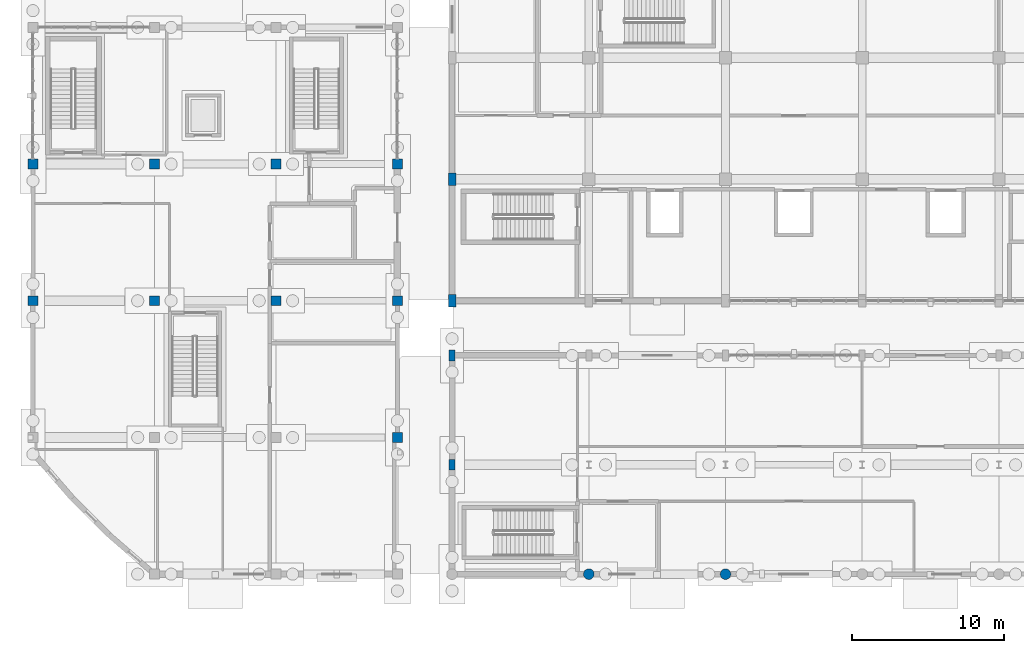
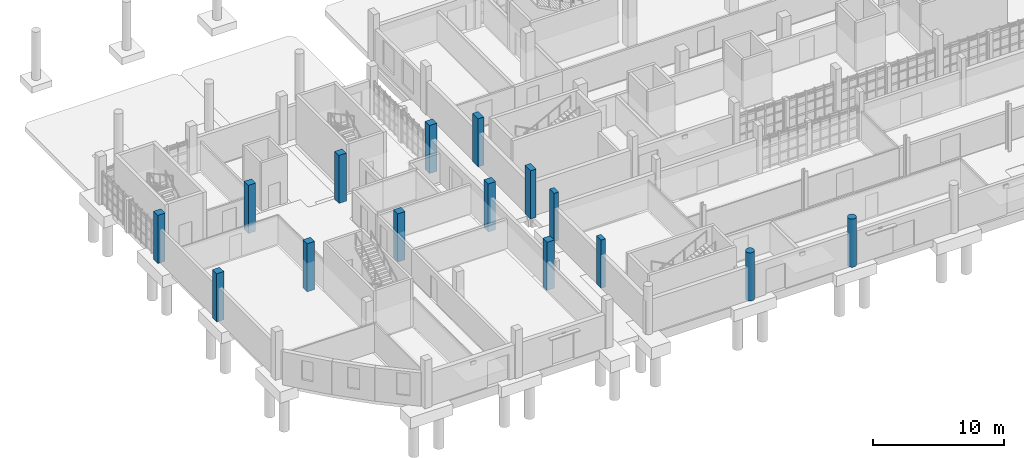
# One storey, part 4 of 63: 15 columns.
"""IFC4 building model written with IfcOpenShell, lengths in metres."""

from ifc_helpers import new_model, si_unit, direction, frame, origin, origin_2d, place, context, subcontext, project, spatial, rectangle, circle, extrude, material, material_profile, profile_set, type_object, element, save


model = new_model("IFC4")

# Units and contexts
model_context = context("Model", 3, precision=1e-05, world=origin(), true_north=direction((0.0, 1.0)))
body_context = subcontext(model_context, "Body", "Model", "MODEL_VIEW")
ifc_project = project(units=[si_unit("LENGTHUNIT", "METRE"), si_unit("AREAUNIT", "SQUARE_METRE"), si_unit("VOLUMEUNIT", "CUBIC_METRE"), si_unit("PLANEANGLEUNIT", "RADIAN"), si_unit("MASSUNIT", "GRAM", prefix="KILO")], contexts=[model_context])

# Site, building, storey
site_placement = place(None, origin())
site = spatial("IfcSite", under=ifc_project, at=site_placement, CompositionType="ELEMENT")
building_placement = place(site_placement, origin())
building = spatial("IfcBuilding", under=site, at=building_placement, Name="Serraforn Aerial Cableway Station", CompositionType="ELEMENT")
storey_placement = place(building_placement, origin())
storey = spatial("IfcBuildingStorey", under=building, at=storey_placement, Name="L00", CompositionType="ELEMENT", Elevation=0.0)

# Columns
ifc_material_1 = material(Name="Concrete C35/45", Category="concrete")
ifc_material_profile_1 = material_profile(ifc_material_1, rectangle(XDim=0.39990234375, YDim=0.699951171875, at=origin_2d()), Name="RC 400x700")
ifc_profile_set_1 = profile_set([ifc_material_profile_1], Name="Concrete C35/45")
column_type_1 = type_object("IfcColumnType", Name="COL-RC-400x700", PredefinedType="COLUMN", material=ifc_profile_set_1)
for number, where, z_axis, x_axis, name in (
    (1, (27.60009765625, 7.199951171875, 0.0), (0.0, 0.0, 1.0), (1.0, 0.0, 0.0), "Column CF L00 5-B1"),
    (2, (27.60009765625, 14.39990234375, 0.0), (0.0, 0.0, 1.0), (1.0, 0.0, 0.0), "Column CF L00 5-B2"),
):
    element("IfcColumn", number, at=place(storey_placement, frame(where, z_axis=z_axis, x_axis=x_axis)), inside=storey, type_object=column_type_1, Name=name, PredefinedType="COLUMN", context=body_context, shape_type="SweptSolid", body=[
        extrude(rectangle(XDim=0.39990234375, YDim=0.699951171875, at=origin_2d()), origin(), (0.0, 0.0, 1.0), 4.5),
    ])
ifc_material_2 = material(Name="Concrete C40/50", Category="concrete")
ifc_material_profile_2 = material_profile(ifc_material_2, rectangle(XDim=0.5, YDim=0.85009765625, at=origin_2d()), Name="RC 500x850")
ifc_profile_set_2 = profile_set([ifc_material_profile_2], Name="Concrete C40/50")
column_type_2 = type_object("IfcColumnType", Name="COL-RC-500x850", PredefinedType="COLUMN", material=ifc_profile_set_2)
for number, where, z_axis, x_axis, name in (
    (3, (27.60009765625, 18.0, 0.0), (0.0, 0.0, 1.0), (1.0, 0.0, 0.0), "Column CV L00 5-C"),
    (4, (27.60009765625, 26.0, 0.0), (0.0, 0.0, 1.0), (1.0, 0.0, 0.0), "Column CV L00 5-D1"),
):
    element("IfcColumn", number, at=place(storey_placement, frame(where, z_axis=z_axis, x_axis=x_axis)), inside=storey, type_object=column_type_2, Name=name, PredefinedType="COLUMN", context=body_context, shape_type="SweptSolid", body=[
        extrude(rectangle(XDim=0.5, YDim=0.85009765625, at=origin_2d()), origin(), (0.0, 0.0, 1.0), 4.5),
    ])
ifc_material_profile_3 = material_profile(ifc_material_1, rectangle(XDim=0.64990234375, YDim=0.64990234375, at=origin_2d()), Name="RC 650x650")
ifc_profile_set_3 = profile_set([ifc_material_profile_3], Name="Concrete C35/45")
column_type_3 = type_object("IfcColumnType", Name="COL-RC-650", PredefinedType="COLUMN", material=ifc_profile_set_3)
for number, where, z_axis, x_axis, name in (
    (5, (8.0, 18.0, 0.0), (0.0, 0.0, 1.0), (1.0, 0.0, 0.0), "Column W L00 2-C"),
    (6, (8.0, 27.0, 0.0), (0.0, 0.0, 1.0), (1.0, 0.0, 0.0), "Column W L00 2-D"),
    (7, (16.0, 18.0, 0.0), (0.0, 0.0, 1.0), (1.0, 0.0, 0.0), "Column W L00 3-C"),
    (8, (16.0, 27.0, 0.0), (0.0, 0.0, 1.0), (1.0, 0.0, 0.0), "Column W L00 3-D"),
):
    element("IfcColumn", number, at=place(storey_placement, frame(where, z_axis=z_axis, x_axis=x_axis)), inside=storey, type_object=column_type_3, Name=name, PredefinedType="COLUMN", context=body_context, shape_type="SweptSolid", body=[
        extrude(rectangle(XDim=0.64990234375, YDim=0.64990234375, at=origin_2d()), origin(), (0.0, 0.0, 1.0), 4.5),
    ])
ifc_material_profile_4 = material_profile(ifc_material_1, rectangle(XDim=0.64990234375, YDim=0.64990234375, at=origin_2d()), Name="RC 650x650")
ifc_profile_set_4 = profile_set([ifc_material_profile_4], Name="Concrete C35/45")
column_type_4 = type_object("IfcColumnType", Name="COL-RC-650E", PredefinedType="COLUMN", material=ifc_profile_set_4)
for number, where, z_axis, x_axis, name in (
    (9, (0.0, 18.0, 0.0), (0.0, 0.0, 1.0), (1.0, 0.0, 0.0), "Column W L00 1-C"),
    (10, (0.0, 27.0, 0.0), (0.0, 0.0, 1.0), (1.0, 0.0, 0.0), "Column W L00 1-D"),
    (11, (24.0, 9.0, 0.0), (0.0, 0.0, 1.0), (1.0, 0.0, 0.0), "Column W L00 4-B"),
    (12, (24.0, 18.0, 0.0), (0.0, 0.0, 1.0), (1.0, 0.0, 0.0), "Column W L00 4-C"),
    (13, (24.0, 27.0, 0.0), (0.0, 0.0, 1.0), (1.0, 0.0, 0.0), "Column W L00 4-D"),
):
    element("IfcColumn", number, at=place(storey_placement, frame(where, z_axis=z_axis, x_axis=x_axis)), inside=storey, type_object=column_type_4, Name=name, PredefinedType="COLUMN", context=body_context, shape_type="SweptSolid", body=[
        extrude(rectangle(XDim=0.64990234375, YDim=0.64990234375, at=origin_2d()), origin(), (0.0, 0.0, 1.0), 4.5),
    ])
ifc_material_profile_5 = material_profile(ifc_material_1, circle(Radius=0.35009765625, at=origin_2d()), Name="RC D700")
ifc_profile_set_5 = profile_set([ifc_material_profile_5], Name="Concrete C35/45")
column_type_5 = type_object("IfcColumnType", Name="COL-RC-D700", PredefinedType="COLUMN", material=ifc_profile_set_5)
for number, where, z_axis, x_axis, name in (
    (14, (36.60009765625, 0.0, 0.0), (0.0, 0.0, 1.0), (1.0, 0.0, 0.0), "Column CF L00 6-A"),
    (15, (45.60009765625, 0.0, 0.0), (0.0, 0.0, 1.0), (1.0, 0.0, 0.0), "Column CF L00 7-A"),
):
    element("IfcColumn", number, at=place(storey_placement, frame(where, z_axis=z_axis, x_axis=x_axis)), inside=storey, type_object=column_type_5, Name=name, PredefinedType="COLUMN", context=body_context, shape_type="SweptSolid", body=[
        extrude(circle(Radius=0.35009765625, at=origin_2d()), origin(), (0.0, 0.0, 1.0), 4.5),
    ])

save(model, "model.ifc")
